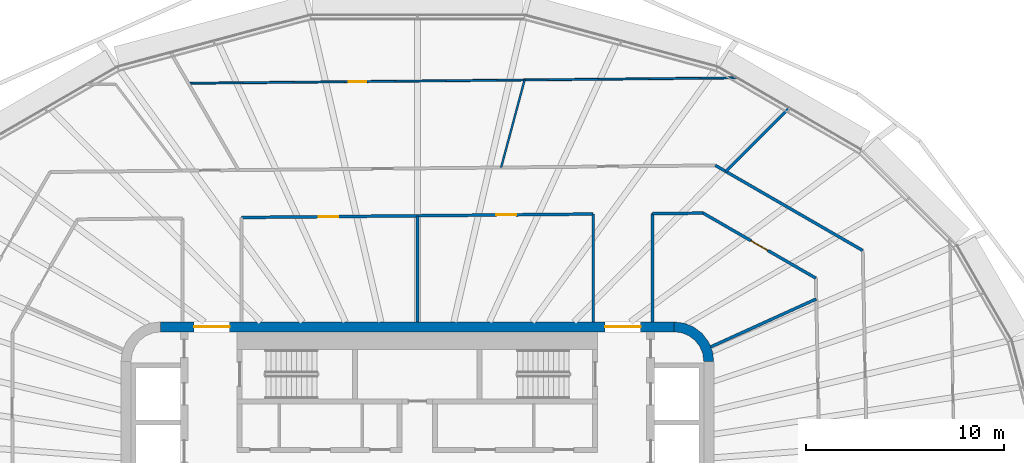
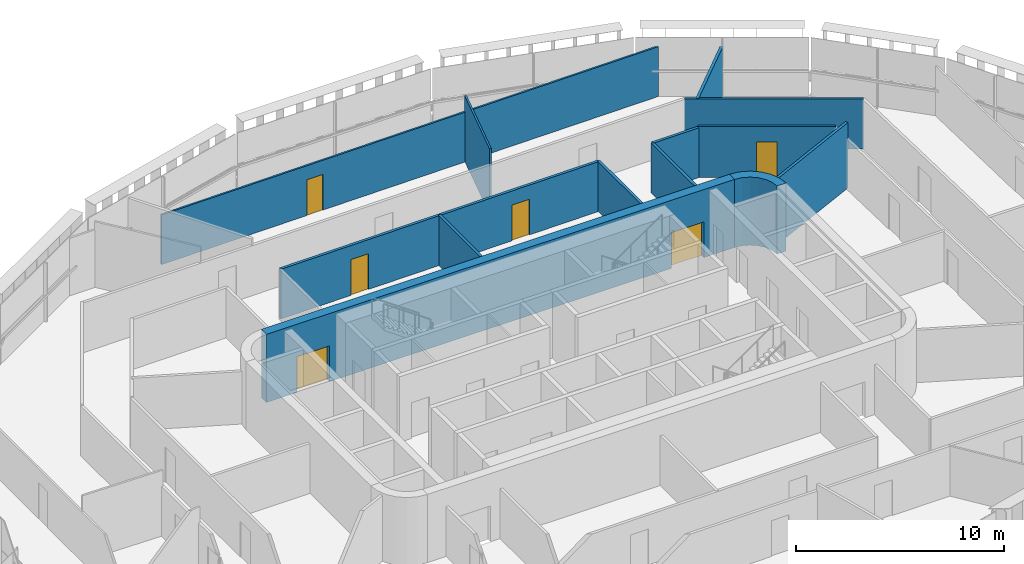
# One storey, part 15 of 23: 13 walls, 6 doors, 6 openings.
"""IFC4 building model written with IfcOpenShell, lengths in metres."""

from ifc_helpers import new_model, si_unit, direction, frame, frame_2d, origin, place, context, subcontext, project, spatial, polyline, rectangle, outline, extrude, material, layer, layer_set, type_object, element, fill, save


model = new_model("IFC4")

# Units and contexts
model_context = context("Model", 3, precision=1e-05, world=origin(), true_north=direction((0.0, 1.0)))
body_context = subcontext(model_context, "Body", "Model", "MODEL_VIEW")
ifc_project = project(units=[si_unit("LENGTHUNIT", "METRE"), si_unit("AREAUNIT", "SQUARE_METRE"), si_unit("VOLUMEUNIT", "CUBIC_METRE"), si_unit("PLANEANGLEUNIT", "RADIAN"), si_unit("MASSUNIT", "GRAM", prefix="KILO")], contexts=[model_context])

# Site, building, storey
site_placement = place(None, origin())
site = spatial("IfcSite", under=ifc_project, at=site_placement, CompositionType="ELEMENT")
building_placement = place(site_placement, origin())
building = spatial("IfcBuilding", under=site, at=building_placement, Name="Sahrelin Media Tower", CompositionType="ELEMENT")
storey_placement = place(building_placement, frame((0.0, 0.0, 161.60009765625)))
storey = spatial("IfcBuildingStorey", under=building, at=storey_placement, Name="L33", CompositionType="ELEMENT", Elevation=161.60009765625)

# Wall, openings, doors
ifc_material_1 = material(Name="Concrete C60/75", Category="concrete")
ifc_layer_1 = layer(ifc_material_1, 0.5)
ifc_layer_set_1 = layer_set([ifc_layer_1], Name="Core wall 500")
wall_type_1 = type_object("IfcWallType", Name="Core wall 500", PredefinedType="SHEAR", material=ifc_layer_set_1)
wall_1_placement = place(storey_placement, frame((-13.0, 7.75, 0.0), z_axis=(0.0, 0.0, 1.0), x_axis=(1.0, 0.0, 0.0)))
wall_1 = element("IfcWall", 1, at=wall_1_placement, inside=storey, type_object=wall_type_1, Name="Core wall N L33", PredefinedType="SHEAR", context=body_context, shape_type="SweptSolid", body=[
    extrude(rectangle(XDim=26.0, YDim=0.5, at=frame_2d((13.0, 0.0))), origin(), (0.0, 0.0, 1.0), 4.0),
])
opening_1_placement = place(wall_1_placement, frame((1.699951171875, 0.0, 0.0)))
opening_1 = element("IfcOpeningElement", 2, at=opening_1_placement, cuts=wall_1, Name="Opening L33-D18", PredefinedType="OPENING", context=body_context, shape_type="SweptSolid", body=[
    extrude(rectangle(XDim=1.800048828125, YDim=2.10009765625, at=frame_2d((0.89990234375, 1.050048828125))), frame((0.0, 0.25, 0.0), z_axis=(0.0, -1.0, 0.0), x_axis=(1.0, 0.0, 0.0)), (0.0, 0.0, 1.0), 0.5),
])
opening_2_placement = place(wall_1_placement, frame((22.5, 0.0, 0.0)))
opening_2 = element("IfcOpeningElement", 3, at=opening_2_placement, cuts=wall_1, Name="Opening L33-D19", PredefinedType="OPENING", context=body_context, shape_type="SweptSolid", body=[
    extrude(rectangle(XDim=1.800048828125, YDim=2.10009765625, at=frame_2d((0.89990234375, 1.050048828125))), frame((0.0, 0.25, 0.0), z_axis=(0.0, -1.0, 0.0), x_axis=(1.0, 0.0, 0.0)), (0.0, 0.0, 1.0), 0.5),
])
ifc_material_2 = material(Name="Steel fire door leaf", Category="steel")
door_type_1 = type_object("IfcDoorType", Name="Lobby double door 1800 x 2100 EI 60", OperationType="DOUBLE_DOOR_SINGLE_SWING", PredefinedType="DOOR", material=ifc_material_2)
door_1_placement = place(opening_1_placement, origin())
door_1 = element("IfcDoor", 4, at=door_1_placement, inside=storey, type_object=door_type_1, Name="Lobby door", OperationType="DOUBLE_DOOR_SINGLE_SWING", OverallHeight=2.10009765625, OverallWidth=1.800048828125, PredefinedType="DOOR", context=body_context, shape_type="SweptSolid", body=[
    extrude(rectangle(XDim=1.800048828125, YDim=2.10009765625, at=frame_2d((0.89990234375, 1.050048828125))), frame((0.0, 0.02490234375, 0.0), z_axis=(0.0, -1.0, 0.0), x_axis=(1.0, 0.0, 0.0)), (0.0, 0.0, 1.0), 0.050048828125),
])
fill(opening_1, door_1)
door_2_placement = place(opening_2_placement, origin())
door_2 = element("IfcDoor", 5, at=door_2_placement, inside=storey, type_object=door_type_1, Name="Lobby door", OperationType="DOUBLE_DOOR_SINGLE_SWING", OverallHeight=2.10009765625, OverallWidth=1.800048828125, PredefinedType="DOOR", context=body_context, shape_type="SweptSolid", body=[
    extrude(rectangle(XDim=1.800048828125, YDim=2.10009765625, at=frame_2d((0.89990234375, 1.050048828125))), frame((0.0, 0.02490234375, 0.0), z_axis=(0.0, -1.0, 0.0), x_axis=(1.0, 0.0, 0.0)), (0.0, 0.0, 1.0), 0.050048828125),
])
fill(opening_2, door_2)

# Wall
wall_2_placement = place(storey_placement, origin())
element("IfcWall", 6, at=wall_2_placement, inside=storey, type_object=wall_type_1, Name="Core wall corner NE L33", PredefinedType="SHEAR", context=body_context, shape_type="SweptSolid", body=[
    extrude(outline(polyline([(13.0, 8.0), (13.0, 7.49560546875), (13.38720703125, 7.44482421875), (13.747802734375, 7.29541015625), (14.0576171875, 7.0576171875), (14.29541015625, 6.747802734375), (14.44482421875, 6.38720703125), (14.49560546875, 6.0), (15.0, 6.0), (14.931884765625, 6.517578125), (14.732177734375, 7.0), (14.414306640625, 7.414306640625), (14.0, 7.732177734375), (13.517578125, 7.931884765625), (13.0, 8.0)])), origin(), (0.0, 0.0, 1.0), 4.0),
])

# Wall, opening, door
ifc_material_3 = material(Name="Fire-rated gypsum board partition")
ifc_layer_2 = layer(ifc_material_3, 0.14990234375)
ifc_layer_set_2 = layer_set([ifc_layer_2], Name="Fire-rated partition 150")
wall_type_2 = type_object("IfcWallType", Name="Fire-rated partition 150", PredefinedType="PARTITIONING", material=ifc_layer_set_2)
wall_3_placement = place(storey_placement, frame((14.447998046875, 13.514892578125, 0.0), z_axis=(0.0, 0.0, 1.0), x_axis=(0.865975016585, -0.500087263036, 0.0)))
wall_3 = element("IfcWall", 7, at=wall_3_placement, inside=storey, type_object=wall_type_2, Name="Wall", PredefinedType="PARTITIONING", context=body_context, shape_type="SweptSolid", body=[
    extrude(rectangle(XDim=6.603759765625, YDim=0.14990234375, at=frame_2d((3.3017578125, 0.0))), origin(), (0.0, 0.0, 1.0), 2.994873046875),
])
opening_3_placement = place(wall_3_placement, frame((2.8037109375, 0.0, 0.0)))
opening_3 = element("IfcOpeningElement", 8, at=opening_3_placement, cuts=wall_3, Name="Opening L33-D27", PredefinedType="OPENING", context=body_context, shape_type="SweptSolid", body=[
    extrude(rectangle(XDim=1.0, YDim=2.10009765625, at=frame_2d((0.5, 1.050048828125))), frame((0.0, 0.074951171875, 0.0), z_axis=(0.0, -1.0, 0.0), x_axis=(1.0, 0.0, 0.0)), (0.0, 0.0, 1.0), 0.14990234375),
])
door_type_2 = type_object("IfcDoorType", Name="Fire door 1000 x 2100 EI 60", OperationType="NOTDEFINED", PredefinedType="DOOR", material=ifc_material_2)
door_3_placement = place(opening_3_placement, origin())
door_3 = element("IfcDoor", 9, at=door_3_placement, inside=storey, type_object=door_type_2, Name="Fire door", OperationType="SINGLE_SWING_RIGHT", OverallHeight=2.10009765625, OverallWidth=1.0, PredefinedType="DOOR", context=body_context, shape_type="SweptSolid", body=[
    extrude(rectangle(XDim=1.0, YDim=2.10009765625, at=frame_2d((0.5, 1.050048828125))), frame((0.0, 0.02490234375, 0.0), z_axis=(0.0, -1.0, 0.0), x_axis=(1.0, 0.0, 0.0)), (0.0, 0.0, 1.0), 0.050048828125),
])
fill(opening_3, door_3)

# Wall
wall_4_placement = place(storey_placement, frame((15.080078125, 15.9208984375, 0.0), z_axis=(0.0, 0.0, 1.0), x_axis=(0.865982112089, -0.50007497592, 0.0)))
element("IfcWall", 10, at=wall_4_placement, inside=storey, type_object=wall_type_2, Name="Wall", PredefinedType="PARTITIONING", context=body_context, shape_type="SweptSolid", body=[
    extrude(rectangle(XDim=8.612548828125, YDim=0.14990234375, at=frame_2d((4.30615234375, 0.0))), origin(), (0.0, 0.0, 1.0), 2.927001953125),
])

# Wall, openings, doors
wall_5_placement = place(storey_placement, frame((-8.89990234375, 13.282958984375, 0.0), z_axis=(0.0, 0.0, 1.0), x_axis=(0.999950969978, 0.009902405776, 0.0)))
wall_5 = element("IfcWall", 11, at=wall_5_placement, inside=storey, type_object=wall_type_2, Name="Wall", PredefinedType="PARTITIONING", context=body_context, shape_type="SweptSolid", body=[
    extrude(rectangle(XDim=17.80078125, YDim=0.14990234375, at=frame_2d((8.900390625, 0.0))), origin(), (0.0, 0.0, 1.0), 2.927001953125),
])
opening_4_placement = place(wall_5_placement, frame((12.900390625, 0.0, 0.0)))
opening_4 = element("IfcOpeningElement", 12, at=opening_4_placement, cuts=wall_5, Name="Opening L33-D28", PredefinedType="OPENING", context=body_context, shape_type="SweptSolid", body=[
    extrude(rectangle(XDim=1.0, YDim=2.10009765625, at=frame_2d((0.5, 1.050048828125))), frame((0.0, 0.074951171875, 0.0), z_axis=(0.0, -1.0, 0.0), x_axis=(1.0, 0.0, 0.0)), (0.0, 0.0, 1.0), 0.14990234375),
])
opening_5_placement = place(wall_5_placement, frame((3.901611328125, 0.0, 0.0)))
opening_5 = element("IfcOpeningElement", 13, at=opening_5_placement, cuts=wall_5, Name="Opening L33-D29", PredefinedType="OPENING", context=body_context, shape_type="SweptSolid", body=[
    extrude(rectangle(XDim=1.0, YDim=2.10009765625, at=frame_2d((0.5, 1.050048828125))), frame((0.0, 0.074951171875, 0.0), z_axis=(0.0, -1.0, 0.0), x_axis=(1.0, 0.0, 0.0)), (0.0, 0.0, 1.0), 0.14990234375),
])
door_4_placement = place(opening_4_placement, origin())
door_4 = element("IfcDoor", 14, at=door_4_placement, inside=storey, type_object=door_type_2, Name="Fire door", OperationType="SINGLE_SWING_LEFT", OverallHeight=2.10009765625, OverallWidth=1.0, PredefinedType="DOOR", context=body_context, shape_type="SweptSolid", body=[
    extrude(rectangle(XDim=1.0, YDim=2.10009765625, at=frame_2d((0.5, 1.050048828125))), frame((0.0, 0.02490234375, 0.0), z_axis=(0.0, -1.0, 0.0), x_axis=(1.0, 0.0, 0.0)), (0.0, 0.0, 1.0), 0.050048828125),
])
fill(opening_4, door_4)
door_5_placement = place(opening_5_placement, origin())
door_5 = element("IfcDoor", 15, at=door_5_placement, inside=storey, type_object=door_type_2, Name="Fire door", OperationType="SINGLE_SWING_LEFT", OverallHeight=2.10009765625, OverallWidth=1.0, PredefinedType="DOOR", context=body_context, shape_type="SweptSolid", body=[
    extrude(rectangle(XDim=1.0, YDim=2.10009765625, at=frame_2d((0.5, 1.050048828125))), frame((0.0, 0.02490234375, 0.0), z_axis=(0.0, -1.0, 0.0), x_axis=(1.0, 0.0, 0.0)), (0.0, 0.0, 1.0), 0.050048828125),
])
fill(opening_5, door_5)

# Walls
wall_6_placement = place(storey_placement, frame((11.89990234375, 13.47998046875, 0.0), z_axis=(0.0, 0.0, 1.0), x_axis=(0.999951307579, 0.009868255694, 0.0)))
element("IfcWall", 16, at=wall_6_placement, inside=storey, type_object=wall_type_2, Name="Wall", PredefinedType="PARTITIONING", context=body_context, shape_type="SweptSolid", body=[
    extrude(rectangle(XDim=2.54833984375, YDim=0.14990234375, at=frame_2d((1.274169921875, 0.0))), origin(), (0.0, 0.0, 1.0), 2.927001953125),
])
wall_7_placement = place(storey_placement, frame((14.843017578125, 6.73291015625, 0.0), z_axis=(0.0, 0.0, 1.0), x_axis=(0.910628361306, 0.413226315214, 0.0)))
element("IfcWall", 17, at=wall_7_placement, inside=storey, type_object=wall_type_2, Name="Wall", PredefinedType="PARTITIONING", context=body_context, shape_type="SweptSolid", body=[
    extrude(rectangle(XDim=5.870361328125, YDim=0.14990234375, at=frame_2d((2.93505859375, 0.0))), origin(), (0.0, 0.0, 1.0), 3.849853515625),
])
wall_8_placement = place(storey_placement, frame((15.613037109375, 15.613037109375, 0.0), z_axis=(0.0, 0.0, 1.0), x_axis=(0.707106781187, 0.707106781187, 0.0)))
element("IfcWall", 18, at=wall_8_placement, inside=storey, type_object=wall_type_2, Name="Wall", PredefinedType="PARTITIONING", context=body_context, shape_type="SweptSolid", body=[
    extrude(rectangle(XDim=4.5380859375, YDim=0.14990234375, at=frame_2d((2.26904296875, 0.0))), origin(), (0.0, 0.0, 1.0), 2.927001953125),
])
wall_9_placement = place(storey_placement, frame((11.89990234375, 8.0, 0.0), z_axis=(0.0, 0.0, 1.0), x_axis=(0.0, 1.0, 0.0)))
element("IfcWall", 19, at=wall_9_placement, inside=storey, type_object=wall_type_2, Name="Wall", PredefinedType="PARTITIONING", context=body_context, shape_type="SweptSolid", body=[
    extrude(rectangle(XDim=5.47900390625, YDim=0.14990234375, at=frame_2d((2.739501953125, 0.0))), origin(), (0.0, 0.0, 1.0), 2.927001953125),
])
wall_10_placement = place(storey_placement, frame((8.89990234375, 8.0, 0.0), z_axis=(0.0, 0.0, 1.0), x_axis=(0.0, 1.0, 0.0)))
element("IfcWall", 20, at=wall_10_placement, inside=storey, type_object=wall_type_2, Name="Wall", PredefinedType="PARTITIONING", context=body_context, shape_type="SweptSolid", body=[
    extrude(rectangle(XDim=5.4599609375, YDim=0.14990234375, at=frame_2d((2.72998046875, 0.0))), origin(), (0.0, 0.0, 1.0), 2.927001953125),
])
wall_11_placement = place(storey_placement, frame((0.0, 8.0, 0.0), z_axis=(0.0, 0.0, 1.0), x_axis=(0.0, 1.0, 0.0)))
element("IfcWall", 21, at=wall_11_placement, inside=storey, type_object=wall_type_2, Name="Wall", PredefinedType="PARTITIONING", context=body_context, shape_type="SweptSolid", body=[
    extrude(rectangle(XDim=5.3720703125, YDim=0.14990234375, at=frame_2d((2.68603515625, 0.0))), origin(), (0.0, 0.0, 1.0), 2.927001953125),
])

# Wall, opening, door
ifc_material_4 = material(Name="Gypsum board partition")
ifc_layer_3 = layer(ifc_material_4, 0.10009765625)
ifc_layer_set_3 = layer_set([ifc_layer_3], Name="Partition 100")
wall_type_3 = type_object("IfcWallType", Name="Partition 100", PredefinedType="PARTITIONING", material=ifc_layer_set_3)
wall_12_placement = place(storey_placement, frame((-11.591064453125, 20.076904296875, 0.0), z_axis=(0.0, 0.0, 1.0), x_axis=(0.999951585171, 0.009840087095, 0.0)))
wall_12 = element("IfcWall", 22, at=wall_12_placement, inside=storey, type_object=wall_type_3, Name="Wall", PredefinedType="PARTITIONING", context=body_context, shape_type="SweptSolid", body=[
    extrude(rectangle(XDim=27.763427734375, YDim=0.10009765625, at=frame_2d((13.8818359375, 0.0))), origin(), (0.0, 0.0, 1.0), 2.927001953125),
])
opening_6_placement = place(wall_12_placement, frame((8.1103515625, 0.0, 0.0)))
opening_6 = element("IfcOpeningElement", 23, at=opening_6_placement, cuts=wall_12, Name="Opening L33-D52", PredefinedType="OPENING", context=body_context, shape_type="SweptSolid", body=[
    extrude(rectangle(XDim=0.89990234375, YDim=2.10009765625, at=frame_2d((0.449951171875, 1.050048828125))), frame((0.0, 0.050048828125, 0.0), z_axis=(0.0, -1.0, 0.0), x_axis=(1.0, 0.0, 0.0)), (0.0, 0.0, 1.0), 0.10009765625),
])
ifc_material_5 = material(Name="Timber door leaf", Category="wood")
door_type_3 = type_object("IfcDoorType", Name="Single door 900 x 2100", OperationType="NOTDEFINED", PredefinedType="DOOR", material=ifc_material_5)
door_6_placement = place(opening_6_placement, origin())
door_6 = element("IfcDoor", 24, at=door_6_placement, inside=storey, type_object=door_type_3, Name="Single door", OperationType="SINGLE_SWING_LEFT", OverallHeight=2.10009765625, OverallWidth=0.89990234375, PredefinedType="DOOR", context=body_context, shape_type="SweptSolid", body=[
    extrude(rectangle(XDim=0.89990234375, YDim=2.10009765625, at=frame_2d((0.449951171875, 1.050048828125))), frame((0.0, 0.02490234375, 0.0), z_axis=(0.0, -1.0, 0.0), x_axis=(1.0, 0.0, 0.0)), (0.0, 0.0, 1.0), 0.050048828125),
])
fill(opening_6, door_6)

# Wall
wall_13_placement = place(storey_placement, frame((4.237060546875, 15.81396484375, 0.0), z_axis=(0.0, 0.0, 1.0), x_axis=(0.258900971347, 0.965903870494, 0.0)))
element("IfcWall", 25, at=wall_13_placement, inside=storey, type_object=wall_type_3, Name="Wall", PredefinedType="PARTITIONING", context=body_context, shape_type="SweptSolid", body=[
    extrude(rectangle(XDim=4.588623046875, YDim=0.10009765625, at=frame_2d((2.29443359375, 0.0))), origin(), (0.0, 0.0, 1.0), 3.849853515625),
])

save(model, "model.ifc")
